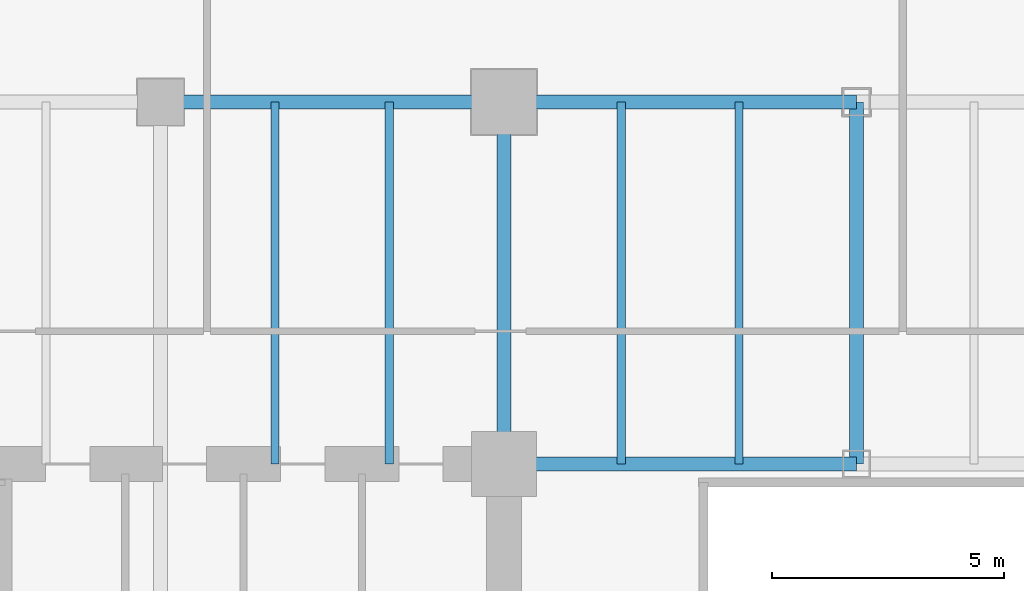
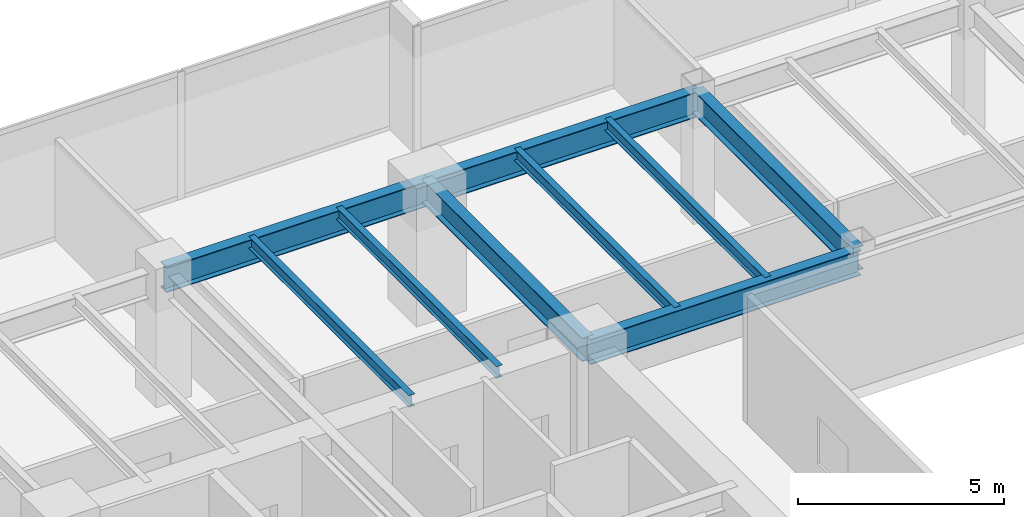
# One storey, part 14 of 32: 9 beams.
"""IFC4 building model written with IfcOpenShell, lengths in metres."""

from ifc_helpers import new_model, si_unit, direction, frame, origin, origin_2d, place, context, subcontext, project, spatial, i_section, extrude, source, transform, mapped, material, material_profile, profile_set, type_object, type_shapes, element, save


model = new_model("IFC4")

# Units and contexts
model_context = context("Model", 3, precision=1e-05, world=origin(), true_north=direction((0.0, 1.0)))
body_context = subcontext(model_context, "Body", "Model", "MODEL_VIEW")
ifc_project = project(units=[si_unit("LENGTHUNIT", "METRE"), si_unit("AREAUNIT", "SQUARE_METRE"), si_unit("VOLUMEUNIT", "CUBIC_METRE"), si_unit("PLANEANGLEUNIT", "RADIAN"), si_unit("MASSUNIT", "GRAM", prefix="KILO")], contexts=[model_context])

# Site, building, storey
site_placement = place(None, origin())
site = spatial("IfcSite", under=ifc_project, at=site_placement, CompositionType="ELEMENT")
building_placement = place(site_placement, origin())
building = spatial("IfcBuilding", under=site, at=building_placement, Name="Haelvirn Gate Laboratories", CompositionType="ELEMENT")
storey_placement = place(building_placement, frame((0.0, 0.0, 33.39990234375)))
storey = spatial("IfcBuildingStorey", under=building, at=storey_placement, Name="L08", CompositionType="ELEMENT", Elevation=33.39990234375)

# Beams
ifc_material = material(Name="Steel SM355", Category="steel")
ifc_material_profile_1 = material_profile(ifc_material, i_section(OverallWidth=0.300048828125, OverallDepth=0.699951171875, WebThickness=0.012939453125, FlangeThickness=0.02392578125, at=origin_2d()), Name="H-700x300x13x24")
ifc_profile_set_1 = profile_set([ifc_material_profile_1], Name="Steel SM355")
beam_type_1 = type_object("IfcBeamType", Name="BM-G-700", PredefinedType="BEAM", material=ifc_profile_set_1)
shared_shape_1 = source(origin(), body_context, "Body", "SweptSolid", [
    extrude(i_section(OverallWidth=0.300048828125, OverallDepth=0.699951171875, WebThickness=0.012939453125, FlangeThickness=0.02392578125, at=origin_2d()), origin(), (0.0, 0.0, 1.0), 7.800048828125),
])
type_shapes(beam_type_1, [shared_shape_1])
for number, where, z_axis, x_axis, name in (
    (1, (22.199951171875, 33.800048828125, 3.43017578125), (0.0, 1.0, 0.0), (-1.0, 0.0, 0.0), "L08 Frame Girder X22.2 (33.8-41.6)"),
    (2, (29.800048828125, 33.800048828125, 3.43017578125), (0.0, 1.0, 0.0), (-1.0, 0.0, 0.0), "L08 Frame Girder X29.8 (33.8-41.6)"),
):
    element("IfcBeam", number, at=place(storey_placement, frame(where, z_axis=z_axis, x_axis=x_axis)), inside=storey, type_object=beam_type_1, Name=name, PredefinedType="BEAM", context=body_context, shape_type="MappedRepresentation", body=[
        mapped(shared_shape_1, transform((0.0, 0.0, 0.0), scale=1.0)),
    ])
ifc_material_profile_2 = material_profile(ifc_material, i_section(OverallWidth=0.300048828125, OverallDepth=0.75, WebThickness=0.013916015625, FlangeThickness=0.02392578125, at=origin_2d()), Name="H-750x300x14x24")
ifc_profile_set_2 = profile_set([ifc_material_profile_2], Name="Steel SM355")
beam_type_2 = type_object("IfcBeamType", Name="BM-G-750", PredefinedType="BEAM", material=ifc_profile_set_2)
shared_shape_2 = source(origin(), body_context, "Body", "SweptSolid", [
    extrude(i_section(OverallWidth=0.300048828125, OverallDepth=0.75, WebThickness=0.013916015625, FlangeThickness=0.02392578125, at=origin_2d()), origin(), (0.0, 0.0, 1.0), 7.39990234375),
])
beam_placement = place(storey_placement, frame((14.800048828125, 41.60009765625, 3.405029296875), z_axis=(1.0, 0.0, 0.0), x_axis=(0.0, 1.0, 0.0)))
element("IfcBeam", 3, at=beam_placement, inside=storey, type_object=beam_type_2, Name="L08 Primary Girder Y41.6 (14.8-22.2)", PredefinedType="BEAM", context=body_context, shape_type="MappedRepresentation", body=[
    mapped(shared_shape_2, transform((0.0, 0.0, 0.0), scale=1.0)),
])
shared_shape_3 = source(origin(), body_context, "Body", "SweptSolid", [
    extrude(i_section(OverallWidth=0.300048828125, OverallDepth=0.75, WebThickness=0.013916015625, FlangeThickness=0.02392578125, at=origin_2d()), origin(), (0.0, 0.0, 1.0), 7.60009765625),
])
type_shapes(beam_type_2, [shared_shape_2, shared_shape_3])
for number, where, z_axis, x_axis, name in (
    (4, (22.199951171875, 33.800048828125, 3.405029296875), (1.0, 0.0, 0.0), (0.0, 1.0, 0.0), "L08 Primary Girder Y33.8 (22.2-29.8)"),
    (5, (22.199951171875, 41.60009765625, 3.405029296875), (1.0, 0.0, 0.0), (0.0, 1.0, 0.0), "L08 Primary Girder Y41.6 (22.2-29.8)"),
):
    element("IfcBeam", number, at=place(storey_placement, frame(where, z_axis=z_axis, x_axis=x_axis)), inside=storey, type_object=beam_type_2, Name=name, PredefinedType="BEAM", context=body_context, shape_type="MappedRepresentation", body=[
        mapped(shared_shape_3, transform((0.0, 0.0, 0.0), scale=1.0)),
    ])
ifc_material_profile_3 = material_profile(ifc_material, i_section(OverallWidth=0.175048828125, OverallDepth=0.35009765625, WebThickness=0.007080078125, FlangeThickness=0.010986328125, at=origin_2d()), Name="H-350x175x7x11")
ifc_profile_set_3 = profile_set([ifc_material_profile_3], Name="Steel SM355")
beam_type_3 = type_object("IfcBeamType", Name="BM-J-350", PredefinedType="JOIST", material=ifc_profile_set_3)
shared_shape_4 = source(origin(), body_context, "Body", "SweptSolid", [
    extrude(i_section(OverallWidth=0.175048828125, OverallDepth=0.35009765625, WebThickness=0.007080078125, FlangeThickness=0.010986328125, at=origin_2d()), origin(), (0.0, 0.0, 1.0), 7.800048828125),
])
type_shapes(beam_type_3, [shared_shape_4])
for number, where, z_axis, x_axis, name in (
    (6, (17.27001953125, 33.800048828125, 3.60498046875), (0.0, 1.0, 0.0), (-1.0, 0.0, 0.0), "L08 Composite Lab Joist North X17.27"),
    (7, (19.72998046875, 33.800048828125, 3.60498046875), (0.0, 1.0, 0.0), (-1.0, 0.0, 0.0), "L08 Composite Lab Joist North X19.73"),
    (8, (24.72998046875, 33.800048828125, 3.60498046875), (0.0, 1.0, 0.0), (-1.0, 0.0, 0.0), "L08 Composite Lab Joist North X24.73"),
    (9, (27.27001953125, 33.800048828125, 3.60498046875), (0.0, 1.0, 0.0), (-1.0, 0.0, 0.0), "L08 Composite Lab Joist North X27.27"),
):
    element("IfcBeam", number, at=place(storey_placement, frame(where, z_axis=z_axis, x_axis=x_axis)), inside=storey, type_object=beam_type_3, Name=name, PredefinedType="JOIST", context=body_context, shape_type="MappedRepresentation", body=[
        mapped(shared_shape_4, transform((0.0, 0.0, 0.0), scale=1.0)),
    ])

save(model, "model.ifc")
